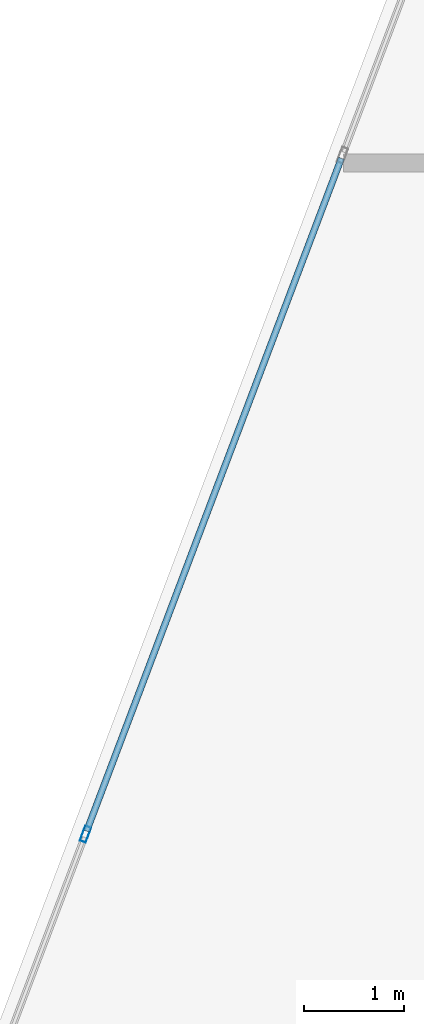
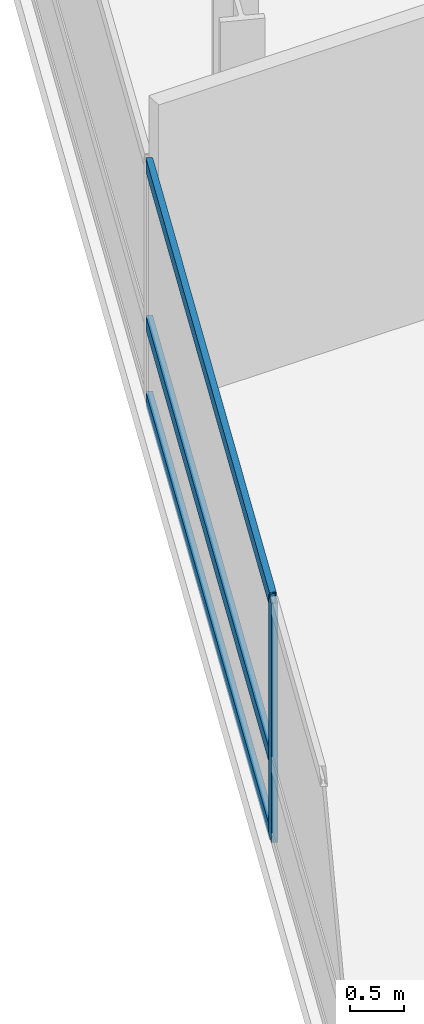
# One storey, part 6 of 24: 4 members, 1 element without a shape of its own.
"""IFC4 building model written with IfcOpenShell, lengths in metres."""

from ifc_helpers import new_model, si_unit, direction, frame, origin, origin_2d, place, context, subcontext, project, spatial, hollow_rectangle, extrude, material, layer, layer_set, material_profile, profile_set, type_object, element, aggregate, save


model = new_model("IFC4")

# Units and contexts
model_context = context("Model", 3, precision=1e-05, world=origin(), true_north=direction((0.0, 1.0)))
body_context = subcontext(model_context, "Body", "Model", "MODEL_VIEW")
ifc_project = project(units=[si_unit("LENGTHUNIT", "METRE"), si_unit("AREAUNIT", "SQUARE_METRE"), si_unit("VOLUMEUNIT", "CUBIC_METRE"), si_unit("PLANEANGLEUNIT", "RADIAN"), si_unit("MASSUNIT", "GRAM", prefix="KILO")], contexts=[model_context])

# Site, building, storey
site_placement = place(None, origin())
site = spatial("IfcSite", under=ifc_project, at=site_placement, CompositionType="ELEMENT")
building_placement = place(site_placement, origin())
building = spatial("IfcBuilding", under=site, at=building_placement, Name="Varnelok Gate Tower", CompositionType="ELEMENT")
storey_placement = place(building_placement, frame((0.0, 0.0, 98.39990234375)))
storey = spatial("IfcBuildingStorey", under=building, at=storey_placement, Name="L24", CompositionType="ELEMENT", Elevation=98.39990234375)

# Curtain wall, members
ifc_material = material(Name="Anodized Aluminum Alloy 6063-T6", Category="aluminium")
ifc_layer = layer(ifc_material, 0.179931640625)
ifc_layer_set = layer_set([ifc_layer], Name="Anodized Aluminum Alloy 6063-T6")
curtain_wall_type = type_object("IfcCurtainWallType", Name="CW3-HOTEL-VISION", PredefinedType="USERDEFINED", material=ifc_layer_set)
curtain_wall_placement = place(storey_placement, origin())
curtain_wall = element("IfcCurtainWall", 1, at=curtain_wall_placement, inside=storey, type_object=curtain_wall_type, Name="L24 West End Vision Curtain Wall", ObjectType="UNITISED CURTAIN WALL", PredefinedType="USERDEFINED")
ifc_material_profile_1 = material_profile(ifc_material, hollow_rectangle(XDim=0.06494140625, YDim=0.159912109375, WallThickness=0.00390625, at=origin_2d()), Name="ALU160X65X4")
ifc_profile_set_1 = profile_set([ifc_material_profile_1], Name="Anodized Aluminum Alloy 6063-T6")
member_type_1 = type_object("IfcMemberType", Name="CW-MULL-160", PredefinedType="MULLION", material=ifc_profile_set_1)
member_1_placement = place(storey_placement, frame((3.072021484375, 35.10693359375, 0.0), z_axis=(0.0, 0.0, 1.0), x_axis=(-0.935221323688, 0.354063660545, 0.0)))
member_1 = element("IfcMember", 2, at=member_1_placement, type_object=member_type_1, Name="CW3 mullion 3", PredefinedType="MULLION", context=body_context, shape_type="SweptSolid", body=[
    extrude(hollow_rectangle(XDim=0.06494140625, YDim=0.159912109375, WallThickness=0.00390625, at=origin_2d()), origin(), (0.0, 0.0, 1.0), 2.72998046875),
])
ifc_material_profile_2 = material_profile(ifc_material, hollow_rectangle(XDim=0.06494140625, YDim=0.159912109375, WallThickness=0.00390625, at=origin_2d()), Name="ALU160X65X4")
ifc_profile_set_2 = profile_set([ifc_material_profile_2], Name="Anodized Aluminum Alloy 6063-T6")
member_type_2 = type_object("IfcMemberType", Name="CW-TRAN-160", PredefinedType="USERDEFINED", material=ifc_profile_set_2)
member_2_placement = place(storey_placement, frame((3.08349609375, 35.13720703125, 0.03271484375), z_axis=(0.354048963644, 0.935226887628, 0.0), x_axis=(-0.935226887628, 0.354048963644, 0.0)))
member_2 = element("IfcMember", 3, at=member_2_placement, type_object=member_type_2, Name="CW3 transom 3.1", ObjectType="TRANSOM", PredefinedType="USERDEFINED", context=body_context, shape_type="SweptSolid", body=[
    extrude(hollow_rectangle(XDim=0.06494140625, YDim=0.159912109375, WallThickness=0.00390625, at=origin_2d()), origin(), (0.0, 0.0, 1.0), 7.175048828125),
])
member_3_placement = place(storey_placement, frame((3.08349609375, 35.13720703125, 0.900146484375), z_axis=(0.354048963644, 0.935226887628, 0.0), x_axis=(-0.935226887628, 0.354048963644, 0.0)))
member_3 = element("IfcMember", 4, at=member_3_placement, type_object=member_type_2, Name="CW3 transom 3.2", ObjectType="TRANSOM", PredefinedType="USERDEFINED", context=body_context, shape_type="SweptSolid", body=[
    extrude(hollow_rectangle(XDim=0.06494140625, YDim=0.159912109375, WallThickness=0.00390625, at=origin_2d()), origin(), (0.0, 0.0, 1.0), 7.175048828125),
])
member_4_placement = place(storey_placement, frame((3.08349609375, 35.13720703125, 2.697509765625), z_axis=(0.354048963644, 0.935226887628, 0.0), x_axis=(-0.935226887628, 0.354048963644, 0.0)))
member_4 = element("IfcMember", 5, at=member_4_placement, type_object=member_type_2, Name="CW3 transom 3.3", ObjectType="TRANSOM", PredefinedType="USERDEFINED", context=body_context, shape_type="SweptSolid", body=[
    extrude(hollow_rectangle(XDim=0.06494140625, YDim=0.159912109375, WallThickness=0.00390625, at=origin_2d()), origin(), (0.0, 0.0, 1.0), 7.175048828125),
])
aggregate(curtain_wall, [member_1, member_2, member_3, member_4])

save(model, "model.ifc")
